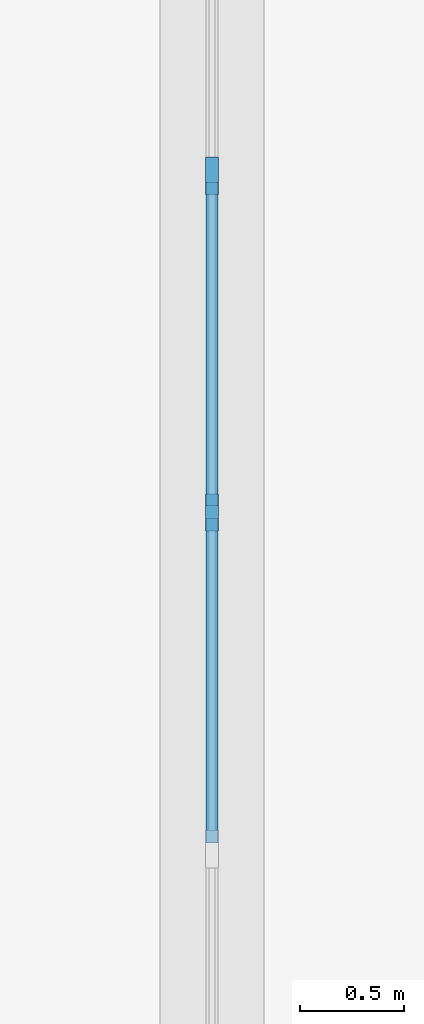
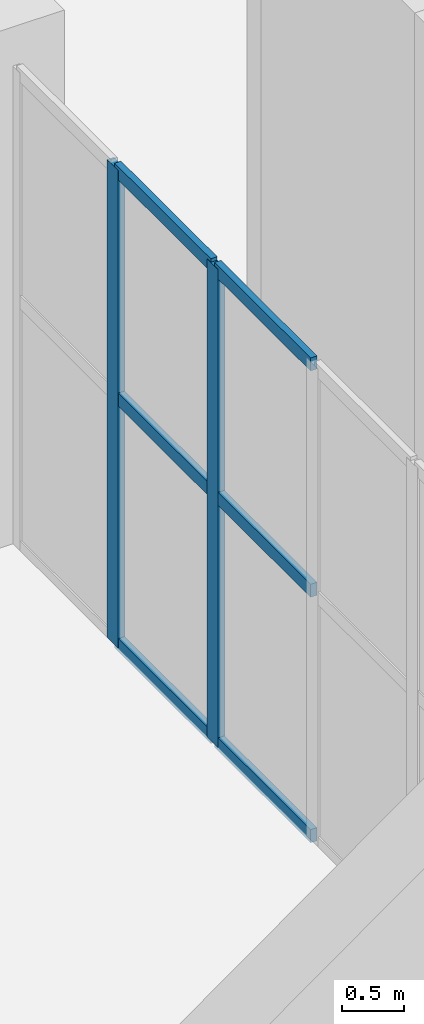
# One storey, part 37 of 103: 8 members, 1 element without a shape of its own.
"""IFC4 building model written with IfcOpenShell, lengths in metres."""

import ifcopenshell
import ifcopenshell.guid

model = None  # the IFC model being written
_history = None  # IfcOwnerHistory: only IFC2X3 demands one
_inside = {}  # id of a spatial element -> (the spatial element, [elements in it])
_under = {}  # id of a project, library or spatial element -> (it, [spatial elements below it])
_declared = {}  # id of a project -> (the project, [libraries it declares])
_typed = {}  # id of a type object -> (the type object, [elements of that type])
_made_of = {}  # id of a material, layer set ... -> (it, [elements and type objects made of it])


def new_model(schema):
    """Start an empty IFC model of exactly this schema.

    Asked for "IFC4X3", IfcOpenShell would pick the latest addendum, in which some entities
    have other attributes; the version numbers below select the first issue.
    IFC2X3 requires an IfcOwnerHistory on every rooted entity: one is made here for all.
    """
    global model, _history
    if schema == "IFC4X3":
        model = ifcopenshell.file(schema_version=(4, 3, 0, 0))
    else:
        model = ifcopenshell.file(schema=schema)
    _inside.clear()
    _under.clear()
    _declared.clear()
    _typed.clear()
    _made_of.clear()
    _history = None
    if model.schema == "IFC2X3":
        org = make("IfcOrganization", Name="unknown")
        user = make(
            "IfcPersonAndOrganization",
            ThePerson=make("IfcPerson", FamilyName="unknown"),
            TheOrganization=org,
        )
        app = make(
            "IfcApplication",
            ApplicationDeveloper=org,
            Version="unknown",
            ApplicationFullName="unknown",
            ApplicationIdentifier="unknown",
        )
        _history = make(
            "IfcOwnerHistory",
            OwningUser=user,
            OwningApplication=app,
            ChangeAction="ADDED",
            CreationDate=0,
        )
    return model


def make(cls, **values):
    """One entity of the class cls with the attributes given. An attribute that is None is left unset."""
    return model.create_entity(
        cls, **{name: value for name, value in values.items() if value is not None}
    )


def rooted(cls, **values):
    """An entity with a GlobalId (a new one), such as an element, a storey or a relation."""
    return make(cls, GlobalId=ifcopenshell.guid.new(), OwnerHistory=_history, **values)


def si_unit(unit_type, name, prefix=None):
    """IfcSIUnit, for example si_unit("LENGTHUNIT", "METRE", prefix="MILLI")."""
    return make("IfcSIUnit", UnitType=unit_type, Prefix=prefix, Name=name)


def assignment(units):
    """IfcUnitAssignment: the units of a project."""
    return None if units is None else make("IfcUnitAssignment", Units=units)


def point(xyz):
    """IfcCartesianPoint."""
    return None if xyz is None else make("IfcCartesianPoint", Coordinates=xyz)


def direction(xyz):
    """IfcDirection."""
    return None if xyz is None else make("IfcDirection", DirectionRatios=xyz)


def frame(location, z_axis=None, x_axis=None):
    """IfcAxis2Placement3D, a coordinate frame: its origin and axes. An axis left out is left unset."""
    return make(
        "IfcAxis2Placement3D",
        Location=point(location),
        Axis=direction(z_axis),
        RefDirection=direction(x_axis),
    )


def frame_2d(location, x_axis=None):
    """IfcAxis2Placement2D, a coordinate frame in the plane: its origin and x axis."""
    return make(
        "IfcAxis2Placement2D", Location=point(location), RefDirection=direction(x_axis)
    )


def origin():
    """The frame at (0, 0, 0) with its axes left unset."""
    return frame((0.0, 0.0, 0.0))


def origin_2d():
    """The frame at (0, 0) in the plane with its x axis left unset."""
    return frame_2d((0.0, 0.0))


def place(relative_to, where):
    """IfcLocalPlacement: puts the frame where relative to a parent placement (None: the world)."""
    return make(
        "IfcLocalPlacement", PlacementRelTo=relative_to, RelativePlacement=where
    )


def context(
    kind, dimensions, precision=None, world=None, true_north=None, identifier=None
):
    """IfcGeometricRepresentationContext, for example the 3D "Model" context."""
    return make(
        "IfcGeometricRepresentationContext",
        ContextIdentifier=identifier,
        ContextType=kind,
        CoordinateSpaceDimension=dimensions,
        Precision=precision,
        WorldCoordinateSystem=world,
        TrueNorth=true_north,
    )


def subcontext(parent, identifier, kind, view, scale=None):
    """IfcGeometricRepresentationSubContext, for example "Body" below "Model"."""
    return make(
        "IfcGeometricRepresentationSubContext",
        ContextIdentifier=identifier,
        ContextType=kind,
        ParentContext=parent,
        TargetScale=scale,
        TargetView=view,
    )


def project(units=None, contexts=None):
    """IfcProject with its units and contexts."""
    return rooted(
        "IfcProject",
        Name="project",
        RepresentationContexts=contexts,
        UnitsInContext=assignment(units),
    )


def spatial(cls, under=None, at=None, **own):
    """A site, building, storey or space (cls), placed at a placement, below another one or the project."""
    s = rooted(cls, ObjectPlacement=at, **own)
    if under is not None:
        _under.setdefault(under.id(), (under, []))[1].append(s)
    return s


def profile(cls, at=None, kind="AREA", **sizes):
    """A parametric profile (cls). Its sizes go by their IFC names, for example OverallWidth=200.0."""
    return make(cls, ProfileType=kind, Position=at, **sizes)


def rectangle(**sizes):
    """IfcRectangleProfileDef."""
    return profile("IfcRectangleProfileDef", **sizes)


def extrude(swept, where, along, depth):
    """IfcExtrudedAreaSolid: the profile swept, set in the frame where, extruded along a direction by depth."""
    return make(
        "IfcExtrudedAreaSolid",
        SweptArea=swept,
        Position=where,
        ExtrudedDirection=direction(along),
        Depth=depth,
    )


def shape(context_of_items, identifier, shape_type, items):
    """IfcShapeRepresentation: the items that make up one representation, for example the "Body"."""
    return make(
        "IfcShapeRepresentation",
        ContextOfItems=context_of_items,
        RepresentationIdentifier=identifier,
        RepresentationType=shape_type,
        Items=items,
    )


def material(Name=None, Category=None):
    """IfcMaterial."""
    return make("IfcMaterial", Name=Name, Category=Category)


def layer(
    of_material, thickness, ventilated=None, Name=None, Category=None, Priority=None
):
    """IfcMaterialLayer: one layer of a wall or slab, of a material (None: an air gap)."""
    return make(
        "IfcMaterialLayer",
        Material=of_material,
        LayerThickness=thickness,
        IsVentilated=ventilated,
        Name=Name,
        Category=Category,
        Priority=Priority,
    )


def layer_set(layers, Name=None):
    """IfcMaterialLayerSet."""
    return make("IfcMaterialLayerSet", MaterialLayers=layers, LayerSetName=Name)


def material_profile(
    of_material, cross_section, Name=None, Category=None, Priority=None
):
    """IfcMaterialProfile: a cross section and its material."""
    return make(
        "IfcMaterialProfile",
        Name=Name,
        Material=of_material,
        Profile=cross_section,
        Priority=Priority,
        Category=Category,
    )


def profile_set(profiles, Name=None, composite=None):
    """IfcMaterialProfileSet."""
    return make(
        "IfcMaterialProfileSet",
        Name=Name,
        MaterialProfiles=profiles,
        CompositeProfile=composite,
    )


def made_of(thing, what):
    """Note that an element or type object is made of a material, layer set ...; save() writes the relation."""
    if what is not None:
        _made_of.setdefault(what.id(), (what, []))[1].append(thing)
    return thing


def type_object(cls, material=None, **own):
    """A type object (cls), such as IfcWallType, which elements share."""
    return made_of(rooted(cls, **own), material)


def element(
    cls,
    number,
    at=None,
    inside=None,
    cuts=None,
    type_object=None,
    material=None,
    context=None,
    identifier="Body",
    shape_type=None,
    held_by="IfcProductDefinitionShape",
    body=None,
    shapes=None,
    **own,
):
    """One element of the class cls, such as IfcWall. Its Tag is "e" and its number.

    at: its placement. inside: the storey or other place that contains it. cuts: it is an
    opening in that element (IfcRelVoidsElement). A single representation is given by context,
    identifier, shape_type and body (its items); several are given by shapes. held_by: the class
    of the entity that holds the representations. save() writes the other relations.
    """
    e = rooted(cls, Tag="e%d" % number, ObjectPlacement=at, **own)
    if body is not None:
        shapes = [shape(context, identifier, shape_type, body)]
    if shapes is not None:
        e.Representation = make(held_by, Representations=shapes)
    if inside is not None:
        _inside.setdefault(inside.id(), (inside, []))[1].append(e)
    if cuts is not None:
        rooted(
            "IfcRelVoidsElement", RelatingBuildingElement=cuts, RelatedOpeningElement=e
        )
    if type_object is not None:
        _typed.setdefault(type_object.id(), (type_object, []))[1].append(e)
    return made_of(e, material)


def aggregate(whole, parts):
    """IfcRelAggregates: a whole, such as a stair, and the parts it consists of."""
    return rooted("IfcRelAggregates", RelatingObject=whole, RelatedObjects=parts)


def save(model, path):
    """Write the relations noted so far, then the file.

    IfcRelAggregates (storeys below a building ...), IfcRelContainedInSpatialStructure (elements
    in a storey), IfcRelDefinesByType, IfcRelAssociatesMaterial and IfcRelDeclares: one each for
    every whole, place, type object, material and project.
    """
    for whole, parts in _under.values():
        aggregate(whole, parts)
    for where, things in _inside.values():
        rooted(
            "IfcRelContainedInSpatialStructure",
            RelatedElements=things,
            RelatingStructure=where,
        )
    for kind, things in _typed.values():
        rooted("IfcRelDefinesByType", RelatedObjects=things, RelatingType=kind)
    for what, things in _made_of.values():
        rooted("IfcRelAssociatesMaterial", RelatedObjects=things, RelatingMaterial=what)
    for by, libraries in _declared.values():
        rooted("IfcRelDeclares", RelatingContext=by, RelatedDefinitions=libraries)
    model.write(path)


model = new_model("IFC4")

# Units and contexts
model_context = context("Model", 3, precision=1e-05, world=origin(), true_north=direction((0.0, 1.0)))
body_context = subcontext(model_context, "Body", "Model", "MODEL_VIEW")
ifc_project = project(units=[si_unit("LENGTHUNIT", "METRE"), si_unit("AREAUNIT", "SQUARE_METRE"), si_unit("VOLUMEUNIT", "CUBIC_METRE"), si_unit("PLANEANGLEUNIT", "RADIAN"), si_unit("MASSUNIT", "GRAM", prefix="KILO")], contexts=[model_context])

# Site, building, storey
site_placement = place(None, origin())
site = spatial("IfcSite", under=ifc_project, at=site_placement, CompositionType="ELEMENT")
building_placement = place(site_placement, origin())
building = spatial("IfcBuilding", under=site, at=building_placement, Name="Marnock Terrace Opera House", CompositionType="ELEMENT")
storey_placement = place(building_placement, origin())
storey = spatial("IfcBuildingStorey", under=building, at=storey_placement, Name="L00", CompositionType="ELEMENT", Elevation=0.0)

# Curtain wall, members
ifc_material = material(Name="Anodised architectural bronze aluminium framing", Category="aluminium")
ifc_layer = layer(ifc_material, 0.159912109375)
ifc_layer_set = layer_set([ifc_layer], Name="Anodised architectural bronze aluminium framing")
curtain_wall_type = type_object("IfcCurtainWallType", Name="CW-FOYER-90x51", PredefinedType="NOTDEFINED", material=ifc_layer_set)
curtain_wall_placement = place(storey_placement, origin())
curtain_wall = element("IfcCurtainWall", 1, at=curtain_wall_placement, inside=storey, type_object=curtain_wall_type, Name="L00 glazed Beaux-Arts colonnade curtain wall CW-V1W-L00-07", PredefinedType="NOTDEFINED")
ifc_material_profile_1 = material_profile(ifc_material, rectangle(XDim=0.06494140625, YDim=0.179931640625, at=origin_2d()))
ifc_profile_set_1 = profile_set([ifc_material_profile_1], Name="Anodised architectural bronze aluminium framing")
member_type_1 = type_object("IfcMemberType", Name="CWM-65x180", PredefinedType="MULLION", material=ifc_profile_set_1)
member_1_placement = place(storey_placement, frame((55.0, 62.310791015625, 0.0), z_axis=(0.0, 0.0, 1.0), x_axis=(-1.0, 0.0, 0.0)))
member_1 = element("IfcMember", 2, at=member_1_placement, type_object=member_type_1, Name="CW-31 mullion 4", PredefinedType="MULLION", context=body_context, shape_type="SweptSolid", body=[
    extrude(rectangle(XDim=0.06494140625, YDim=0.179931640625, at=origin_2d()), origin(), (0.0, 0.0, 1.0), 4.734375),
])
member_2_placement = place(storey_placement, frame((55.0, 63.932373046875, 0.0), z_axis=(0.0, 0.0, 1.0), x_axis=(-1.0, 0.0, 0.0)))
member_2 = element("IfcMember", 3, at=member_2_placement, type_object=member_type_1, Name="CW-31 mullion 5", PredefinedType="MULLION", context=body_context, shape_type="SweptSolid", body=[
    extrude(rectangle(XDim=0.06494140625, YDim=0.179931640625, at=origin_2d()), origin(), (0.0, 0.0, 1.0), 4.734375),
])
ifc_material_profile_2 = material_profile(ifc_material, rectangle(XDim=0.06005859375, YDim=0.1298828125, at=origin_2d()))
ifc_profile_set_2 = profile_set([ifc_material_profile_2], Name="Anodised architectural bronze aluminium framing")
member_type_2 = type_object("IfcMemberType", Name="CWT-60x130", PredefinedType="USERDEFINED", material=ifc_profile_set_2)
member_3_placement = place(storey_placement, frame((55.0, 60.71923828125, 0.030029296875), z_axis=(0.0, 1.0, 0.0), x_axis=(-1.0, 0.0, 0.0)))
member_3 = element("IfcMember", 4, at=member_3_placement, type_object=member_type_2, Name="CW-31 transom 3.1", ObjectType="TRANSOM", PredefinedType="USERDEFINED", context=body_context, shape_type="SweptSolid", body=[
    extrude(rectangle(XDim=0.06005859375, YDim=0.1298828125, at=origin_2d()), origin(), (0.0, 0.0, 1.0), 1.5615234375),
])
member_4_placement = place(storey_placement, frame((55.0, 60.71923828125, 2.4619140625), z_axis=(0.0, 1.0, 0.0), x_axis=(-1.0, 0.0, 0.0)))
member_4 = element("IfcMember", 5, at=member_4_placement, type_object=member_type_2, Name="CW-31 transom 3.2", ObjectType="TRANSOM", PredefinedType="USERDEFINED", context=body_context, shape_type="SweptSolid", body=[
    extrude(rectangle(XDim=0.06005859375, YDim=0.1298828125, at=origin_2d()), origin(), (0.0, 0.0, 1.0), 1.5615234375),
])
member_5_placement = place(storey_placement, frame((55.0, 60.71923828125, 4.704345703125), z_axis=(0.0, 1.0, 0.0), x_axis=(-1.0, 0.0, 0.0)))
member_5 = element("IfcMember", 6, at=member_5_placement, type_object=member_type_2, Name="CW-31 transom 3.3", ObjectType="TRANSOM", PredefinedType="USERDEFINED", context=body_context, shape_type="SweptSolid", body=[
    extrude(rectangle(XDim=0.06005859375, YDim=0.1298828125, at=origin_2d()), origin(), (0.0, 0.0, 1.0), 1.5615234375),
])
member_6_placement = place(storey_placement, frame((55.0, 62.3408203125, 0.030029296875), z_axis=(0.0, 1.0, 0.0), x_axis=(-1.0, 0.0, 0.0)))
member_6 = element("IfcMember", 7, at=member_6_placement, type_object=member_type_2, Name="CW-31 transom 4.1", ObjectType="TRANSOM", PredefinedType="USERDEFINED", context=body_context, shape_type="SweptSolid", body=[
    extrude(rectangle(XDim=0.06005859375, YDim=0.1298828125, at=origin_2d()), origin(), (0.0, 0.0, 1.0), 1.5615234375),
])
member_7_placement = place(storey_placement, frame((55.0, 62.3408203125, 2.4619140625), z_axis=(0.0, 1.0, 0.0), x_axis=(-1.0, 0.0, 0.0)))
member_7 = element("IfcMember", 8, at=member_7_placement, type_object=member_type_2, Name="CW-31 transom 4.2", ObjectType="TRANSOM", PredefinedType="USERDEFINED", context=body_context, shape_type="SweptSolid", body=[
    extrude(rectangle(XDim=0.06005859375, YDim=0.1298828125, at=origin_2d()), origin(), (0.0, 0.0, 1.0), 1.5615234375),
])
member_8_placement = place(storey_placement, frame((55.0, 62.3408203125, 4.704345703125), z_axis=(0.0, 1.0, 0.0), x_axis=(-1.0, 0.0, 0.0)))
member_8 = element("IfcMember", 9, at=member_8_placement, type_object=member_type_2, Name="CW-31 transom 4.3", ObjectType="TRANSOM", PredefinedType="USERDEFINED", context=body_context, shape_type="SweptSolid", body=[
    extrude(rectangle(XDim=0.06005859375, YDim=0.1298828125, at=origin_2d()), origin(), (0.0, 0.0, 1.0), 1.5615234375),
])
aggregate(curtain_wall, [member_1, member_2, member_3, member_4, member_5, member_6, member_7, member_8])

save(model, "model.ifc")
